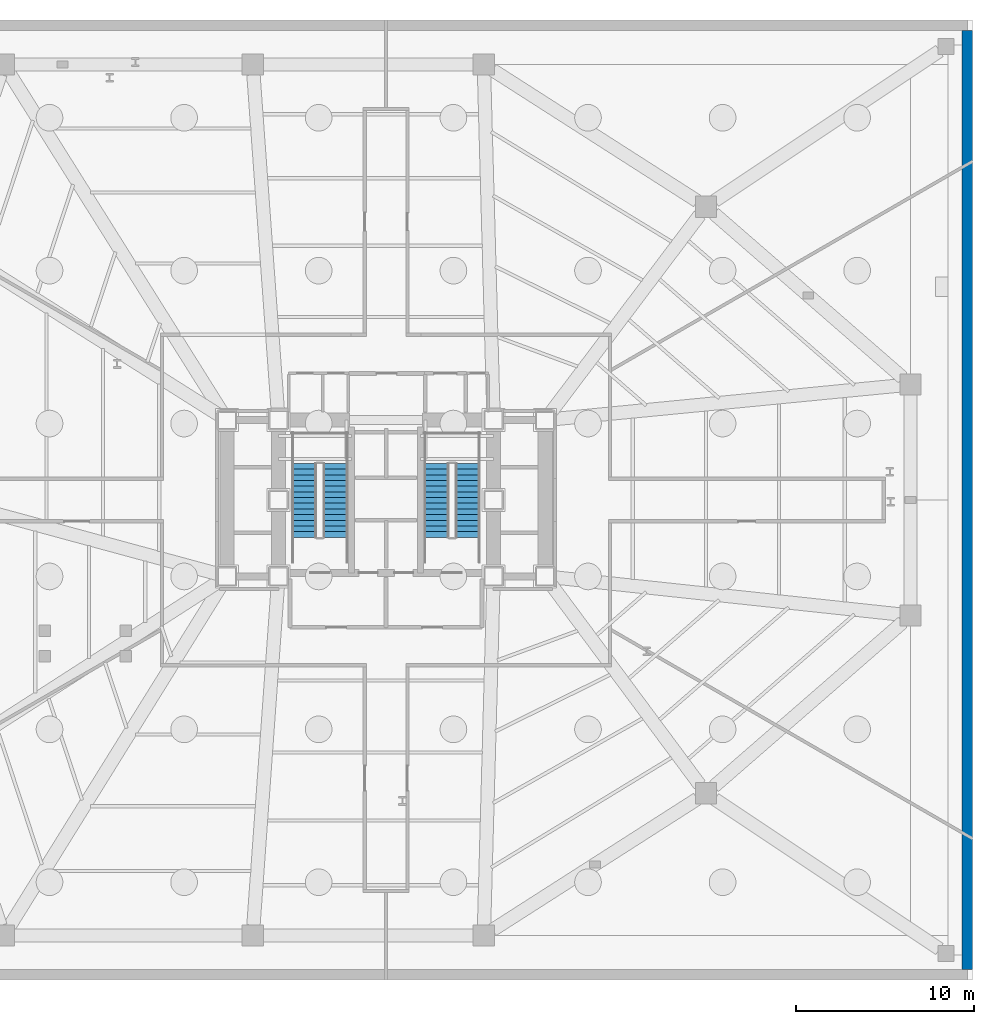
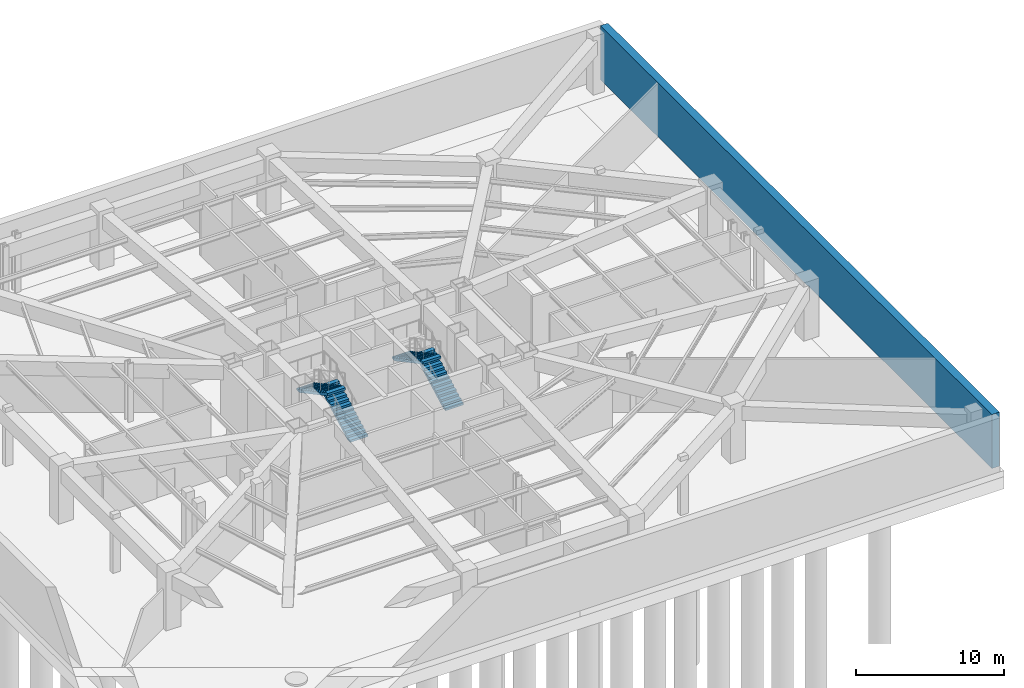
# One storey, part 6 of 7: 4 stair flights, 1 wall, 2 elements without a shape of their own.
"""IFC4 building model written with IfcOpenShell, lengths in metres."""

from ifc_helpers import new_model, si_unit, direction, frame, frame_2d, origin, place, context, subcontext, project, spatial, polyline, rectangle, outline, extrude, material, layer, layer_set, type_object, element, aggregate, save


model = new_model("IFC4")

# Units and contexts
model_context = context("Model", 3, precision=1e-05, world=origin(), true_north=direction((0.0, 1.0)))
body_context = subcontext(model_context, "Body", "Model", "MODEL_VIEW")
ifc_project = project(units=[si_unit("LENGTHUNIT", "METRE"), si_unit("AREAUNIT", "SQUARE_METRE"), si_unit("VOLUMEUNIT", "CUBIC_METRE"), si_unit("PLANEANGLEUNIT", "RADIAN"), si_unit("MASSUNIT", "GRAM", prefix="KILO")], contexts=[model_context])

# Site, building, storey
site_placement = place(None, origin())
site = spatial("IfcSite", under=ifc_project, at=site_placement, CompositionType="ELEMENT")
building_placement = place(site_placement, origin())
building = spatial("IfcBuilding", under=site, at=building_placement, Name="Rocaltana Carrier Exchange", CompositionType="ELEMENT")
storey_placement = place(building_placement, frame((0.0, 0.0, -9.60009765625)))
storey = spatial("IfcBuildingStorey", under=building, at=storey_placement, Name="Lower Basement", CompositionType="ELEMENT", Elevation=-9.60009765625)

# Wall
ifc_material_1 = material(Name="Concrete C50/60", Category="concrete")
ifc_layer = layer(ifc_material_1, 0.60009765625)
ifc_layer_set = layer_set([ifc_layer], Name="Concrete C50/60")
wall_type = type_object("IfcWallType", Name="Basement Diaphragm Wall 600", PredefinedType="SOLIDWALL", material=ifc_layer_set)
wall_placement = place(storey_placement, frame((32.699951171875, -26.39990234375, 0.0), z_axis=(0.0, 0.0, 1.0), x_axis=(0.0, 1.0, 0.0)))
element("IfcWall", 1, at=wall_placement, inside=storey, type_object=wall_type, Name="Lower Basement Diaphragm Wall RW-E", PredefinedType="SOLIDWALL", context=body_context, shape_type="SweptSolid", body=[
    extrude(rectangle(XDim=52.7998046875, YDim=0.60009765625, at=frame_2d((26.39990234375, 0.0))), origin(), (0.0, 0.0, 1.0), 4.447998046875),
])

# Stair, stair flights
ifc_material_2 = material(Name="Precast concrete C45/55", Category="concrete")
stair_type = type_object("IfcStairType", Name="Standard Dog-Leg Stair 160", PredefinedType="HALF_TURN_STAIR", material=ifc_material_2)
stair_1_placement = place(storey_placement, origin())
stair_1 = element("IfcStair", 2, at=stair_1_placement, inside=storey, type_object=stair_type, Name="Lower Basement Core West Exit Stair ST-1", PredefinedType="HALF_TURN_STAIR")
ifc_material_3 = material(Name="Precast concrete C45/55", Category="concrete")
stair_flight_type = type_object("IfcStairFlightType", Name="Precast Stair Flight 160", PredefinedType="STRAIGHT", material=ifc_material_3)
stair_flight_1_placement = place(storey_placement, frame((-2.840087890625, -2.10009765625, 0.0), z_axis=(0.0, 0.0, 1.0), x_axis=(0.0, 1.0, 0.0)))
stair_flight_1 = element("IfcStairFlight", 3, at=stair_flight_1_placement, type_object=stair_flight_type, Name="ST-1 flight 1", NumberOfRisers=14, NumberOfTreads=13, PredefinedType="STRAIGHT", RiserHeight=0.171428571, TreadLength=0.32, context=body_context, shape_type="SweptSolid", body=[
    extrude(outline(polyline([(0.0, 0.0), (0.0, 0.17138671875), (0.320068359375, 0.17138671875), (0.320068359375, 0.3427734375), (0.639892578125, 0.3427734375), (0.639892578125, 0.514404296875), (0.9599609375, 0.514404296875), (0.9599609375, 0.685791015625), (1.280029296875, 0.685791015625), (1.280029296875, 0.857177734375), (1.60009765625, 0.857177734375), (1.60009765625, 1.028564453125), (1.919921875, 1.028564453125), (1.919921875, 1.199951171875), (2.239990234375, 1.199951171875), (2.239990234375, 1.371337890625), (2.56005859375, 1.371337890625), (2.56005859375, 1.54296875), (2.8798828125, 1.54296875), (2.8798828125, 1.71435546875), (3.199951171875, 1.71435546875), (3.199951171875, 1.8857421875), (3.52001953125, 1.8857421875), (3.52001953125, 2.05712890625), (3.840087890625, 2.05712890625), (3.840087890625, 2.228515625), (4.159912109375, 2.228515625), (4.159912109375, 2.39990234375), (4.159912109375, 2.047119140625), (0.338623046875, 0.0), (0.0, 0.0)])), frame((0.0, 0.699951171875, 0.0), z_axis=(0.0, -1.0, 0.0), x_axis=(1.0, 0.0, 0.0)), (0.0, 0.0, 1.0), 1.39990234375),
])
stair_flight_2_placement = place(storey_placement, frame((-4.60009765625, 2.06005859375, 2.400146484375), z_axis=(0.0, 0.0, 1.0), x_axis=(0.0, -1.0, 0.0)))
stair_flight_2 = element("IfcStairFlight", 4, at=stair_flight_2_placement, type_object=stair_flight_type, Name="ST-1 flight 2", NumberOfRisers=14, NumberOfTreads=13, PredefinedType="STRAIGHT", RiserHeight=0.171428571, TreadLength=0.32, context=body_context, shape_type="SweptSolid", body=[
    extrude(outline(polyline([(0.0, 0.0), (0.0, 0.17138671875), (0.320068359375, 0.17138671875), (0.320068359375, 0.3427734375), (0.639892578125, 0.3427734375), (0.639892578125, 0.514404296875), (0.9599609375, 0.514404296875), (0.9599609375, 0.685791015625), (1.280029296875, 0.685791015625), (1.280029296875, 0.857177734375), (1.60009765625, 0.857177734375), (1.60009765625, 1.028564453125), (1.919921875, 1.028564453125), (1.919921875, 1.199951171875), (2.239990234375, 1.199951171875), (2.239990234375, 1.371337890625), (2.56005859375, 1.371337890625), (2.56005859375, 1.54296875), (2.8798828125, 1.54296875), (2.8798828125, 1.71435546875), (3.199951171875, 1.71435546875), (3.199951171875, 1.8857421875), (3.52001953125, 1.8857421875), (3.52001953125, 2.05712890625), (3.840087890625, 2.05712890625), (3.840087890625, 2.228515625), (4.159912109375, 2.228515625), (4.159912109375, 2.39990234375), (4.159912109375, 2.047119140625), (0.338623046875, 0.0), (0.0, 0.0)])), frame((0.0, 0.699951171875, 0.0), z_axis=(0.0, -1.0, 0.0), x_axis=(1.0, 0.0, 0.0)), (0.0, 0.0, 1.0), 1.39990234375),
])
aggregate(stair_1, [stair_flight_1, stair_flight_2])

stair_2_placement = place(storey_placement, origin())
stair_2 = element("IfcStair", 5, at=stair_2_placement, inside=storey, type_object=stair_type, Name="Lower Basement Core East Exit Stair ST-2", PredefinedType="HALF_TURN_STAIR")
stair_flight_3_placement = place(storey_placement, frame((4.60009765625, -2.10009765625, 0.0), z_axis=(0.0, 0.0, 1.0), x_axis=(0.0, 1.0, 0.0)))
stair_flight_3 = element("IfcStairFlight", 6, at=stair_flight_3_placement, type_object=stair_flight_type, Name="ST-2 flight 1", NumberOfRisers=14, NumberOfTreads=13, PredefinedType="STRAIGHT", RiserHeight=0.171428571, TreadLength=0.32, context=body_context, shape_type="SweptSolid", body=[
    extrude(outline(polyline([(0.0, 0.0), (0.0, 0.17138671875), (0.320068359375, 0.17138671875), (0.320068359375, 0.3427734375), (0.639892578125, 0.3427734375), (0.639892578125, 0.514404296875), (0.9599609375, 0.514404296875), (0.9599609375, 0.685791015625), (1.280029296875, 0.685791015625), (1.280029296875, 0.857177734375), (1.60009765625, 0.857177734375), (1.60009765625, 1.028564453125), (1.919921875, 1.028564453125), (1.919921875, 1.199951171875), (2.239990234375, 1.199951171875), (2.239990234375, 1.371337890625), (2.56005859375, 1.371337890625), (2.56005859375, 1.54296875), (2.8798828125, 1.54296875), (2.8798828125, 1.71435546875), (3.199951171875, 1.71435546875), (3.199951171875, 1.8857421875), (3.52001953125, 1.8857421875), (3.52001953125, 2.05712890625), (3.840087890625, 2.05712890625), (3.840087890625, 2.228515625), (4.159912109375, 2.228515625), (4.159912109375, 2.39990234375), (4.159912109375, 2.047119140625), (0.338623046875, 0.0), (0.0, 0.0)])), frame((0.0, 0.699951171875, 0.0), z_axis=(0.0, -1.0, 0.0), x_axis=(1.0, 0.0, 0.0)), (0.0, 0.0, 1.0), 1.39990234375),
])
stair_flight_4_placement = place(storey_placement, frame((2.840087890625, 2.06005859375, 2.400146484375), z_axis=(0.0, 0.0, 1.0), x_axis=(0.0, -1.0, 0.0)))
stair_flight_4 = element("IfcStairFlight", 7, at=stair_flight_4_placement, type_object=stair_flight_type, Name="ST-2 flight 2", NumberOfRisers=14, NumberOfTreads=13, PredefinedType="STRAIGHT", RiserHeight=0.171428571, TreadLength=0.32, context=body_context, shape_type="SweptSolid", body=[
    extrude(outline(polyline([(0.0, 0.0), (0.0, 0.17138671875), (0.320068359375, 0.17138671875), (0.320068359375, 0.3427734375), (0.639892578125, 0.3427734375), (0.639892578125, 0.514404296875), (0.9599609375, 0.514404296875), (0.9599609375, 0.685791015625), (1.280029296875, 0.685791015625), (1.280029296875, 0.857177734375), (1.60009765625, 0.857177734375), (1.60009765625, 1.028564453125), (1.919921875, 1.028564453125), (1.919921875, 1.199951171875), (2.239990234375, 1.199951171875), (2.239990234375, 1.371337890625), (2.56005859375, 1.371337890625), (2.56005859375, 1.54296875), (2.8798828125, 1.54296875), (2.8798828125, 1.71435546875), (3.199951171875, 1.71435546875), (3.199951171875, 1.8857421875), (3.52001953125, 1.8857421875), (3.52001953125, 2.05712890625), (3.840087890625, 2.05712890625), (3.840087890625, 2.228515625), (4.159912109375, 2.228515625), (4.159912109375, 2.39990234375), (4.159912109375, 2.047119140625), (0.338623046875, 0.0), (0.0, 0.0)])), frame((0.0, 0.699951171875, 0.0), z_axis=(0.0, -1.0, 0.0), x_axis=(1.0, 0.0, 0.0)), (0.0, 0.0, 1.0), 1.39990234375),
])
aggregate(stair_2, [stair_flight_3, stair_flight_4])

save(model, "model.ifc")
